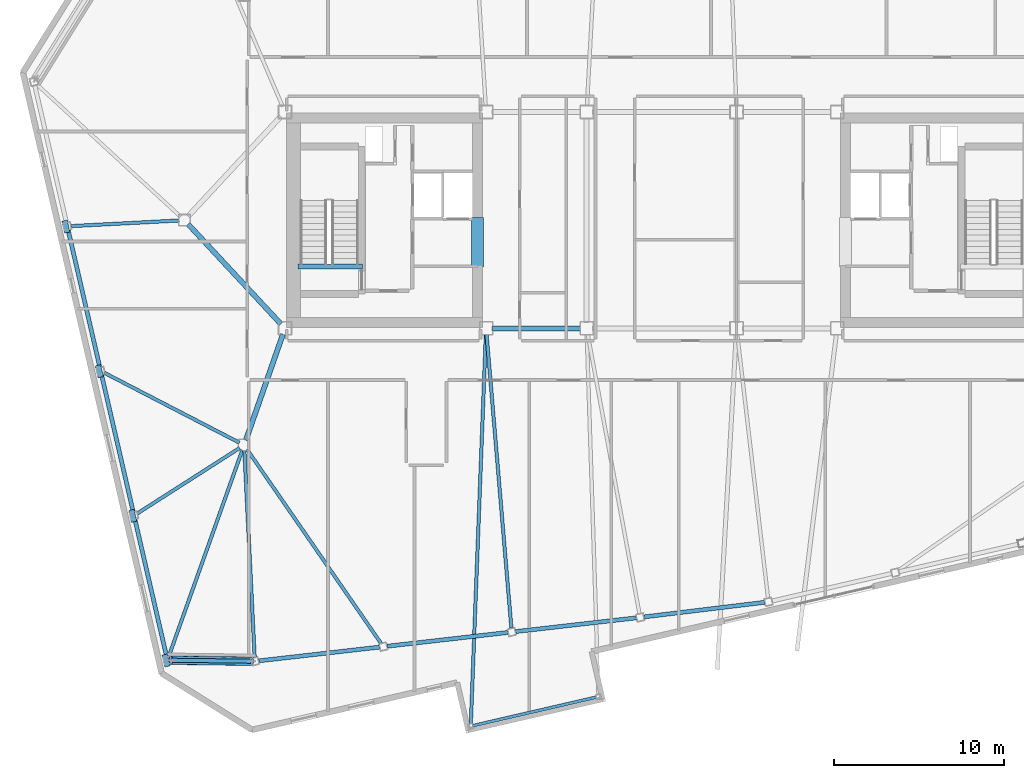
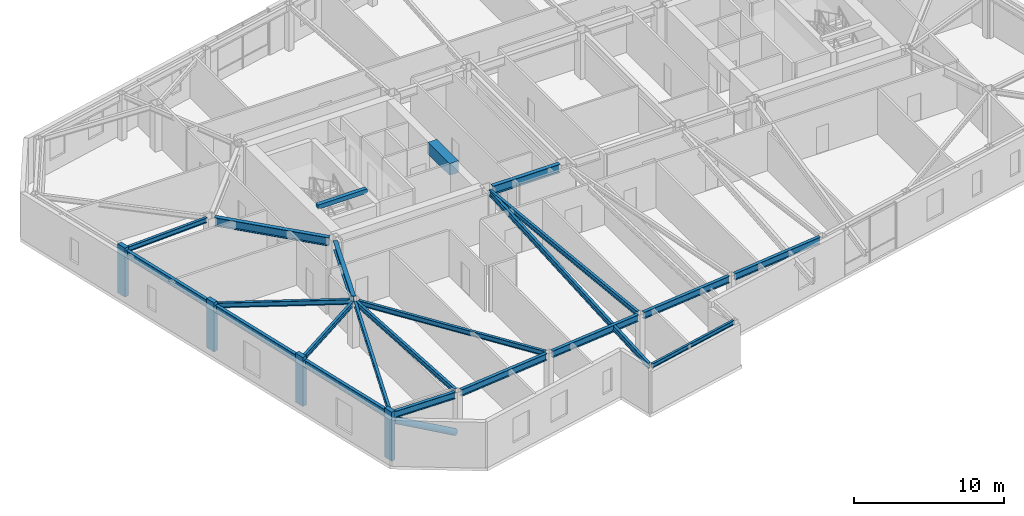
# One storey, part 5 of 21: 22 beams, 5 members.
"""IFC4 building model written with IfcOpenShell, lengths in metres."""

import ifcopenshell
import ifcopenshell.guid

model = None  # the IFC model being written
_history = None  # IfcOwnerHistory: only IFC2X3 demands one
_inside = {}  # id of a spatial element -> (the spatial element, [elements in it])
_under = {}  # id of a project, library or spatial element -> (it, [spatial elements below it])
_declared = {}  # id of a project -> (the project, [libraries it declares])
_typed = {}  # id of a type object -> (the type object, [elements of that type])
_made_of = {}  # id of a material, layer set ... -> (it, [elements and type objects made of it])


def new_model(schema):
    """Start an empty IFC model of exactly this schema.

    Asked for "IFC4X3", IfcOpenShell would pick the latest addendum, in which some entities
    have other attributes; the version numbers below select the first issue.
    IFC2X3 requires an IfcOwnerHistory on every rooted entity: one is made here for all.
    """
    global model, _history
    if schema == "IFC4X3":
        model = ifcopenshell.file(schema_version=(4, 3, 0, 0))
    else:
        model = ifcopenshell.file(schema=schema)
    _inside.clear()
    _under.clear()
    _declared.clear()
    _typed.clear()
    _made_of.clear()
    _history = None
    if model.schema == "IFC2X3":
        org = make("IfcOrganization", Name="unknown")
        user = make(
            "IfcPersonAndOrganization",
            ThePerson=make("IfcPerson", FamilyName="unknown"),
            TheOrganization=org,
        )
        app = make(
            "IfcApplication",
            ApplicationDeveloper=org,
            Version="unknown",
            ApplicationFullName="unknown",
            ApplicationIdentifier="unknown",
        )
        _history = make(
            "IfcOwnerHistory",
            OwningUser=user,
            OwningApplication=app,
            ChangeAction="ADDED",
            CreationDate=0,
        )
    return model


def make(cls, **values):
    """One entity of the class cls with the attributes given. An attribute that is None is left unset."""
    return model.create_entity(
        cls, **{name: value for name, value in values.items() if value is not None}
    )


def rooted(cls, **values):
    """An entity with a GlobalId (a new one), such as an element, a storey or a relation."""
    return make(cls, GlobalId=ifcopenshell.guid.new(), OwnerHistory=_history, **values)


def si_unit(unit_type, name, prefix=None):
    """IfcSIUnit, for example si_unit("LENGTHUNIT", "METRE", prefix="MILLI")."""
    return make("IfcSIUnit", UnitType=unit_type, Prefix=prefix, Name=name)


def assignment(units):
    """IfcUnitAssignment: the units of a project."""
    return None if units is None else make("IfcUnitAssignment", Units=units)


def point(xyz):
    """IfcCartesianPoint."""
    return None if xyz is None else make("IfcCartesianPoint", Coordinates=xyz)


def direction(xyz):
    """IfcDirection."""
    return None if xyz is None else make("IfcDirection", DirectionRatios=xyz)


def frame(location, z_axis=None, x_axis=None):
    """IfcAxis2Placement3D, a coordinate frame: its origin and axes. An axis left out is left unset."""
    return make(
        "IfcAxis2Placement3D",
        Location=point(location),
        Axis=direction(z_axis),
        RefDirection=direction(x_axis),
    )


def frame_2d(location, x_axis=None):
    """IfcAxis2Placement2D, a coordinate frame in the plane: its origin and x axis."""
    return make(
        "IfcAxis2Placement2D", Location=point(location), RefDirection=direction(x_axis)
    )


def origin():
    """The frame at (0, 0, 0) with its axes left unset."""
    return frame((0.0, 0.0, 0.0))


def origin_2d():
    """The frame at (0, 0) in the plane with its x axis left unset."""
    return frame_2d((0.0, 0.0))


def place(relative_to, where):
    """IfcLocalPlacement: puts the frame where relative to a parent placement (None: the world)."""
    return make(
        "IfcLocalPlacement", PlacementRelTo=relative_to, RelativePlacement=where
    )


def context(
    kind, dimensions, precision=None, world=None, true_north=None, identifier=None
):
    """IfcGeometricRepresentationContext, for example the 3D "Model" context."""
    return make(
        "IfcGeometricRepresentationContext",
        ContextIdentifier=identifier,
        ContextType=kind,
        CoordinateSpaceDimension=dimensions,
        Precision=precision,
        WorldCoordinateSystem=world,
        TrueNorth=true_north,
    )


def subcontext(parent, identifier, kind, view, scale=None):
    """IfcGeometricRepresentationSubContext, for example "Body" below "Model"."""
    return make(
        "IfcGeometricRepresentationSubContext",
        ContextIdentifier=identifier,
        ContextType=kind,
        ParentContext=parent,
        TargetScale=scale,
        TargetView=view,
    )


def project(units=None, contexts=None):
    """IfcProject with its units and contexts."""
    return rooted(
        "IfcProject",
        Name="project",
        RepresentationContexts=contexts,
        UnitsInContext=assignment(units),
    )


def spatial(cls, under=None, at=None, **own):
    """A site, building, storey or space (cls), placed at a placement, below another one or the project."""
    s = rooted(cls, ObjectPlacement=at, **own)
    if under is not None:
        _under.setdefault(under.id(), (under, []))[1].append(s)
    return s


def profile(cls, at=None, kind="AREA", **sizes):
    """A parametric profile (cls). Its sizes go by their IFC names, for example OverallWidth=200.0."""
    return make(cls, ProfileType=kind, Position=at, **sizes)


def rectangle(**sizes):
    """IfcRectangleProfileDef."""
    return profile("IfcRectangleProfileDef", **sizes)


def hollow_circle(**sizes):
    """IfcCircleHollowProfileDef."""
    return profile("IfcCircleHollowProfileDef", **sizes)


def i_section(**sizes):
    """IfcIShapeProfileDef."""
    return profile("IfcIShapeProfileDef", **sizes)


def extrude(swept, where, along, depth):
    """IfcExtrudedAreaSolid: the profile swept, set in the frame where, extruded along a direction by depth."""
    return make(
        "IfcExtrudedAreaSolid",
        SweptArea=swept,
        Position=where,
        ExtrudedDirection=direction(along),
        Depth=depth,
    )


def shape(context_of_items, identifier, shape_type, items):
    """IfcShapeRepresentation: the items that make up one representation, for example the "Body"."""
    return make(
        "IfcShapeRepresentation",
        ContextOfItems=context_of_items,
        RepresentationIdentifier=identifier,
        RepresentationType=shape_type,
        Items=items,
    )


def material(Name=None, Category=None):
    """IfcMaterial."""
    return make("IfcMaterial", Name=Name, Category=Category)


def material_profile(
    of_material, cross_section, Name=None, Category=None, Priority=None
):
    """IfcMaterialProfile: a cross section and its material."""
    return make(
        "IfcMaterialProfile",
        Name=Name,
        Material=of_material,
        Profile=cross_section,
        Priority=Priority,
        Category=Category,
    )


def profile_set(profiles, Name=None, composite=None):
    """IfcMaterialProfileSet."""
    return make(
        "IfcMaterialProfileSet",
        Name=Name,
        MaterialProfiles=profiles,
        CompositeProfile=composite,
    )


def made_of(thing, what):
    """Note that an element or type object is made of a material, layer set ...; save() writes the relation."""
    if what is not None:
        _made_of.setdefault(what.id(), (what, []))[1].append(thing)
    return thing


def type_object(cls, material=None, **own):
    """A type object (cls), such as IfcWallType, which elements share."""
    return made_of(rooted(cls, **own), material)


def element(
    cls,
    number,
    at=None,
    inside=None,
    cuts=None,
    type_object=None,
    material=None,
    context=None,
    identifier="Body",
    shape_type=None,
    held_by="IfcProductDefinitionShape",
    body=None,
    shapes=None,
    **own,
):
    """One element of the class cls, such as IfcWall. Its Tag is "e" and its number.

    at: its placement. inside: the storey or other place that contains it. cuts: it is an
    opening in that element (IfcRelVoidsElement). A single representation is given by context,
    identifier, shape_type and body (its items); several are given by shapes. held_by: the class
    of the entity that holds the representations. save() writes the other relations.
    """
    e = rooted(cls, Tag="e%d" % number, ObjectPlacement=at, **own)
    if body is not None:
        shapes = [shape(context, identifier, shape_type, body)]
    if shapes is not None:
        e.Representation = make(held_by, Representations=shapes)
    if inside is not None:
        _inside.setdefault(inside.id(), (inside, []))[1].append(e)
    if cuts is not None:
        rooted(
            "IfcRelVoidsElement", RelatingBuildingElement=cuts, RelatedOpeningElement=e
        )
    if type_object is not None:
        _typed.setdefault(type_object.id(), (type_object, []))[1].append(e)
    return made_of(e, material)


def aggregate(whole, parts):
    """IfcRelAggregates: a whole, such as a stair, and the parts it consists of."""
    return rooted("IfcRelAggregates", RelatingObject=whole, RelatedObjects=parts)


def save(model, path):
    """Write the relations noted so far, then the file.

    IfcRelAggregates (storeys below a building ...), IfcRelContainedInSpatialStructure (elements
    in a storey), IfcRelDefinesByType, IfcRelAssociatesMaterial and IfcRelDeclares: one each for
    every whole, place, type object, material and project.
    """
    for whole, parts in _under.values():
        aggregate(whole, parts)
    for where, things in _inside.values():
        rooted(
            "IfcRelContainedInSpatialStructure",
            RelatedElements=things,
            RelatingStructure=where,
        )
    for kind, things in _typed.values():
        rooted("IfcRelDefinesByType", RelatedObjects=things, RelatingType=kind)
    for what, things in _made_of.values():
        rooted("IfcRelAssociatesMaterial", RelatedObjects=things, RelatingMaterial=what)
    for by, libraries in _declared.values():
        rooted("IfcRelDeclares", RelatingContext=by, RelatedDefinitions=libraries)
    model.write(path)


model = new_model("IFC4")

# Units and contexts
model_context = context("Model", 3, precision=1e-05, world=origin(), true_north=direction((0.0, 1.0)))
body_context = subcontext(model_context, "Body", "Model", "MODEL_VIEW")
ifc_project = project(units=[si_unit("LENGTHUNIT", "METRE"), si_unit("AREAUNIT", "SQUARE_METRE"), si_unit("VOLUMEUNIT", "CUBIC_METRE"), si_unit("PLANEANGLEUNIT", "RADIAN"), si_unit("MASSUNIT", "GRAM", prefix="KILO")], contexts=[model_context])

# Site, building, storey
site_placement = place(None, origin())
site = spatial("IfcSite", under=ifc_project, at=site_placement, CompositionType="ELEMENT")
building_placement = place(site_placement, origin())
building = spatial("IfcBuilding", under=site, at=building_placement, Name="Tavrogorsk Clinical Tower", CompositionType="ELEMENT")
storey_placement = place(building_placement, frame((0.0, 0.0, 285.0)))
storey = spatial("IfcBuildingStorey", under=building, at=storey_placement, Name="L66", CompositionType="ELEMENT", Elevation=285.0)

# Beam
ifc_material_1 = material(Name="Concrete B80", Category="concrete")
ifc_material_profile_1 = material_profile(ifc_material_1, rectangle(XDim=0.699951171875, YDim=0.949951171875, at=origin_2d()), Name="RC-CB-700x950")
ifc_profile_set_1 = profile_set([ifc_material_profile_1], Name="Concrete B80")
beam_type_1 = type_object("IfcBeamType", Name="CouplingBeam_RC700x950", PredefinedType="LINTEL", material=ifc_profile_set_1)
beam_1_placement = place(storey_placement, frame((-10.800048828125, -2.75, 3.264892578125), z_axis=(0.0, 1.0, 0.0), x_axis=(-1.0, 0.0, 0.0)))
element("IfcBeam", 1, at=beam_1_placement, inside=storey, type_object=beam_type_1, Name="L66 Core West Coupling Beam", PredefinedType="LINTEL", context=body_context, shape_type="SweptSolid", body=[
    extrude(rectangle(XDim=0.699951171875, YDim=0.949951171875, at=origin_2d()), origin(), (0.0, 0.0, 1.0), 2.89990234375),
])

# Member
ifc_material_2 = material(Name="Structural steel S440", Category="steel")
ifc_material_profile_2 = material_profile(ifc_material_2, hollow_circle(Radius=0.25390625, WallThickness=0.02001953125, at=origin_2d()), Name="CHS-508x20")
ifc_profile_set_2 = profile_set([ifc_material_profile_2], Name="Structural steel S440")
member_type_1 = type_object("IfcMemberType", Name="ExoBrace_CHS508", PredefinedType="BRACE", material=ifc_profile_set_2)
member_placement = place(storey_placement, frame((-24.07080078125, -25.883056640625, 0.412841796875), z_axis=(-0.874894907887, 0.011394569062, 0.484178752062), x_axis=(-0.013022824449, -0.999915199426, 0.0)))
element("IfcMember", 2, at=member_placement, inside=storey, type_object=member_type_1, Name="L66 Corner Exoskeleton Brace W5-S1", PredefinedType="BRACE", context=body_context, shape_type="SweptSolid", body=[
    extrude(hollow_circle(Radius=0.25390625, WallThickness=0.02001953125, at=origin_2d()), origin(), (0.0, 0.0, 1.0), 5.3994140625),
])

# Beams
ifc_material_3 = material(Name="Structural steel S355", Category="steel")
ifc_material_profile_3 = material_profile(ifc_material_3, i_section(OverallWidth=0.199951171875, OverallDepth=0.39990234375, WebThickness=0.010498046875, FlangeThickness=0.01611328125, at=origin_2d()), Name="B-400x200x10.5x16")
ifc_profile_set_3 = profile_set([ifc_material_profile_3], Name="Structural steel S355")
beam_type_2 = type_object("IfcBeamType", Name="FloorBeam_B400", PredefinedType="BEAM", material=ifc_profile_set_3)
beam_2_placement = place(storey_placement, frame((-24.484619140625, -13.509521484375, 3.5400390625), z_axis=(0.049857498916, -0.998756341558, 0.0), x_axis=(0.998756341558, 0.049857498916, 0.0)))
element("IfcBeam", 3, at=beam_2_placement, inside=storey, type_object=beam_type_2, Name="L66 Radial Floor Beam S1", PredefinedType="BEAM", context=body_context, shape_type="SweptSolid", body=[
    extrude(i_section(OverallWidth=0.199951171875, OverallDepth=0.39990234375, WebThickness=0.010498046875, FlangeThickness=0.01611328125, at=origin_2d()), origin(), (0.0, 0.0, 1.0), 12.15869140625),
])
beam_3_placement = place(storey_placement, frame((-24.32373046875, -13.455078125, 3.5400390625), z_axis=(0.568335848504, -0.82279667191, 0.0), x_axis=(0.82279667191, 0.568335848504, 0.0)))
element("IfcBeam", 4, at=beam_3_placement, inside=storey, type_object=beam_type_2, Name="L66 Radial Floor Beam S2", PredefinedType="BEAM", context=body_context, shape_type="SweptSolid", body=[
    extrude(i_section(OverallWidth=0.199951171875, OverallDepth=0.39990234375, WebThickness=0.010498046875, FlangeThickness=0.01611328125, at=origin_2d()), origin(), (0.0, 0.0, 1.0), 13.831298828125),
])
beam_4_placement = place(storey_placement, frame((-10.269775390625, -6.708740234375, 3.5400390625), z_axis=(0.084218746676, -0.996447290482, 0.0), x_axis=(0.996447290482, 0.084218746676, 0.0)))
element("IfcBeam", 5, at=beam_4_placement, inside=storey, type_object=beam_type_2, Name="L66 Radial Floor Beam S3", PredefinedType="BEAM", context=body_context, shape_type="SweptSolid", body=[
    extrude(i_section(OverallWidth=0.199951171875, OverallDepth=0.39990234375, WebThickness=0.010498046875, FlangeThickness=0.01611328125, at=origin_2d()), origin(), (0.0, 0.0, 1.0), 17.2890625),
])
beam_5_placement = place(storey_placement, frame((-28.3095703125, -0.01611328125, 3.5400390625), z_axis=(-0.99864101713, -0.052116397656, 0.0), x_axis=(0.052116397656, -0.99864101713, 0.0)))
element("IfcBeam", 6, at=beam_5_placement, inside=storey, type_object=beam_type_2, Name="L66 Radial Floor Beam W2", PredefinedType="BEAM", context=body_context, shape_type="SweptSolid", body=[
    extrude(i_section(OverallWidth=0.199951171875, OverallDepth=0.39990234375, WebThickness=0.010498046875, FlangeThickness=0.01611328125, at=origin_2d()), origin(), (0.0, 0.0, 1.0), 6.3427734375),
])
beam_6_placement = place(storey_placement, frame((-24.775390625, -13.0576171875, 3.5400390625), z_axis=(-0.888188417157, 0.459479418069, 0.0), x_axis=(-0.459479418069, -0.888188417157, 0.0)))
element("IfcBeam", 7, at=beam_6_placement, inside=storey, type_object=beam_type_2, Name="L66 Radial Floor Beam W3", PredefinedType="BEAM", context=body_context, shape_type="SweptSolid", body=[
    extrude(i_section(OverallWidth=0.199951171875, OverallDepth=0.39990234375, WebThickness=0.010498046875, FlangeThickness=0.01611328125, at=origin_2d()), origin(), (0.0, 0.0, 1.0), 8.93408203125),
])
beam_7_placement = place(storey_placement, frame((-24.76123046875, -13.3671875, 3.5400390625), z_axis=(-0.842332392078, -0.538958385459, 0.0), x_axis=(0.538958385459, -0.842332392078, 0.0)))
element("IfcBeam", 8, at=beam_7_placement, inside=storey, type_object=beam_type_2, Name="L66 Radial Floor Beam W4", PredefinedType="BEAM", context=body_context, shape_type="SweptSolid", body=[
    extrude(i_section(OverallWidth=0.199951171875, OverallDepth=0.39990234375, WebThickness=0.010498046875, FlangeThickness=0.01611328125, at=origin_2d()), origin(), (0.0, 0.0, 1.0), 7.123779296875),
])
beam_8_placement = place(storey_placement, frame((-24.60400390625, -13.491943359375, 3.5400390625), z_axis=(-0.335800921645, -0.941932981173, 0.0), x_axis=(0.941932981173, -0.335800921645, 0.0)))
element("IfcBeam", 9, at=beam_8_placement, inside=storey, type_object=beam_type_2, Name="L66 Radial Floor Beam W5", PredefinedType="BEAM", context=body_context, shape_type="SweptSolid", body=[
    extrude(i_section(OverallWidth=0.199951171875, OverallDepth=0.39990234375, WebThickness=0.010498046875, FlangeThickness=0.01611328125, at=origin_2d()), origin(), (0.0, 0.0, 1.0), 12.85400390625),
])
ifc_material_4 = material(Name="Structural steel S355", Category="steel")
ifc_material_profile_4 = material_profile(ifc_material_4, i_section(OverallWidth=0.199951171875, OverallDepth=0.449951171875, WebThickness=0.011474609375, FlangeThickness=0.01806640625, at=origin_2d()), Name="B-450x200x11.5x18")
ifc_profile_set_4 = profile_set([ifc_material_profile_4], Name="Structural steel S355")
beam_type_3 = type_object("IfcBeamType", Name="FloorBeam_B450", PredefinedType="BEAM", material=ifc_profile_set_4)
beam_9_placement = place(storey_placement, frame((-10.31396484375, -6.709716796875, 3.514892578125), z_axis=(-0.038550826334, -0.999256640603, 0.0), x_axis=(0.999256640603, -0.038550826334, 0.0)))
element("IfcBeam", 10, at=beam_9_placement, inside=storey, type_object=beam_type_3, Name="L66 Day-Room Cantilever Beam DRB-09-L", PredefinedType="BEAM", context=body_context, shape_type="SweptSolid", body=[
    extrude(i_section(OverallWidth=0.199951171875, OverallDepth=0.449951171875, WebThickness=0.011474609375, FlangeThickness=0.01806640625, at=origin_2d()), origin(), (0.0, 0.0, 1.0), 22.862060546875),
])

# Members
ifc_material_5 = material(Name="Precast concrete B45 with limestone cladding", Category="masonry")
ifc_material_profile_5 = material_profile(ifc_material_5, rectangle(XDim=0.320068359375, YDim=0.719970703125, at=origin_2d()), Name="LIMESTONE-FIN-320x720")
ifc_profile_set_5 = profile_set([ifc_material_profile_5], Name="Precast concrete B45 with limestone cladding")
member_type_2 = type_object("IfcMemberType", Name="LimestonePleatFin_320x720", PredefinedType="USERDEFINED", material=ifc_profile_set_5)
for number, where, z_axis, x_axis, name in (
    (11, (-34.95458984375, -0.376708984375, 0.0), (0.0, 0.0, 1.0), (0.974370064785, 0.224951054344, 0.0), "L66 W Pleated Stone Fin 1"),
    (12, (-32.995361328125, -8.863525390625, 0.0), (0.0, 0.0, 1.0), (0.974370064785, 0.224951054344, 0.0), "L66 W Pleated Stone Fin 2"),
    (13, (-31.035888671875, -17.35009765625, 0.0), (0.0, 0.0, 1.0), (0.974370064785, 0.224951054344, 0.0), "L66 W Pleated Stone Fin 3"),
    (14, (-29.07666015625, -25.8369140625, 0.0), (0.0, 0.0, 1.0), (0.974370064785, 0.224951054344, 0.0), "L66 W Pleated Stone Fin 4"),
):
    element("IfcMember", number, at=place(storey_placement, frame(where, z_axis=z_axis, x_axis=x_axis)), inside=storey, type_object=member_type_2, Name=name, ObjectType="FIN", PredefinedType="USERDEFINED", context=body_context, shape_type="SweptSolid", body=[
        extrude(rectangle(XDim=0.320068359375, YDim=0.719970703125, at=origin_2d()), origin(), (0.0, 0.0, 1.0), 4.0),
    ])

# Beams
ifc_material_6 = material(Name="Structural steel S390", Category="steel")
ifc_material_profile_6 = material_profile(ifc_material_6, i_section(OverallWidth=0.300048828125, OverallDepth=0.699951171875, WebThickness=0.01708984375, FlangeThickness=0.028076171875, at=origin_2d()), Name="B-700x300x17x28")
ifc_profile_set_6 = profile_set([ifc_material_profile_6], Name="Structural steel S390")
beam_type_4 = type_object("IfcBeamType", Name="PrimaryGirder_B700", PredefinedType="USERDEFINED", material=ifc_profile_set_6)
beam_10_placement = place(storey_placement, frame((-9.93994140625, -6.35009765625, 3.389892578125), z_axis=(1.0, 0.0, 0.0), x_axis=(0.0, 1.0, 0.0)))
element("IfcBeam", 15, at=beam_10_placement, inside=storey, type_object=beam_type_4, Name="L66 Primary Spine Girder MG-01", ObjectType="GIRDER", PredefinedType="USERDEFINED", context=body_context, shape_type="SweptSolid", body=[
    extrude(i_section(OverallWidth=0.300048828125, OverallDepth=0.699951171875, WebThickness=0.01708984375, FlangeThickness=0.028076171875, at=origin_2d()), origin(), (0.0, 0.0, 1.0), 5.179931640625),
])
beam_11_placement = place(storey_placement, frame((-24.3974609375, -12.907470703125, 3.389892578125), z_axis=(0.330654121425, 0.943752007672, 0.0), x_axis=(-0.943752007672, 0.330654121425, 0.0)))
element("IfcBeam", 16, at=beam_11_placement, inside=storey, type_object=beam_type_4, Name="L66 Spine Link Girder OPG-1", ObjectType="GIRDER", PredefinedType="USERDEFINED", context=body_context, shape_type="SweptSolid", body=[
    extrude(i_section(OverallWidth=0.300048828125, OverallDepth=0.699951171875, WebThickness=0.01708984375, FlangeThickness=0.028076171875, at=origin_2d()), origin(), (0.0, 0.0, 1.0), 6.58837890625),
])
beam_12_placement = place(storey_placement, frame((-27.7890625, -0.22705078125, 3.389892578125), z_axis=(0.680684060959, -0.732577101168, 0.0), x_axis=(0.732577101168, 0.680684060959, 0.0)))
element("IfcBeam", 17, at=beam_12_placement, inside=storey, type_object=beam_type_4, Name="L66 Spine Link Girder OPG-5", ObjectType="GIRDER", PredefinedType="USERDEFINED", context=body_context, shape_type="SweptSolid", body=[
    extrude(i_section(OverallWidth=0.300048828125, OverallDepth=0.699951171875, WebThickness=0.01708984375, FlangeThickness=0.028076171875, at=origin_2d()), origin(), (0.0, 0.0, 1.0), 7.998046875),
])
ifc_material_7 = material(Name="Structural steel S355", Category="steel")
ifc_material_profile_7 = material_profile(ifc_material_7, i_section(OverallWidth=0.175048828125, OverallDepth=0.35009765625, WebThickness=0.009521484375, FlangeThickness=0.013916015625, at=origin_2d()), Name="B-350x175x9.5x14")
ifc_profile_set_7 = profile_set([ifc_material_profile_7], Name="Structural steel S355")
beam_type_5 = type_object("IfcBeamType", Name="SecondaryJoist_B350", PredefinedType="JOIST", material=ifc_profile_set_7)
beam_13_placement = place(storey_placement, frame((-11.083740234375, -29.667724609375, 3.56494140625), z_axis=(0.974367472721, 0.224962281513, 0.0), x_axis=(-0.224962281513, 0.974367472721, 0.0)))
element("IfcBeam", 18, at=beam_13_placement, inside=storey, type_object=beam_type_5, Name="L66 Day-Room Front Edge Beam DRB-09", PredefinedType="JOIST", context=body_context, shape_type="SweptSolid", body=[
    extrude(i_section(OverallWidth=0.175048828125, OverallDepth=0.35009765625, WebThickness=0.009521484375, FlangeThickness=0.013916015625, at=origin_2d()), origin(), (0.0, 0.0, 1.0), 7.4599609375),
])
ifc_material_8 = material(Name="Structural steel S390", Category="steel")
ifc_material_profile_8 = material_profile(ifc_material_8, i_section(OverallWidth=0.239990234375, OverallDepth=0.550048828125, WebThickness=0.013916015625, FlangeThickness=0.02197265625, at=origin_2d()), Name="B-550x240x14x22")
ifc_profile_set_8 = profile_set([ifc_material_profile_8], Name="Structural steel S390")
beam_type_6 = type_object("IfcBeamType", Name="SpandrelBeam_B550", PredefinedType="SPANDREL", material=ifc_profile_set_8)
for number, where, z_axis, x_axis, name in (
    (19, (-23.635498046875, -25.859375, 3.465087890625), (0.993572073137, 0.113201305126, 0.0), (-0.113201305126, 0.993572073137, 0.0), "L66 Perimeter Spandrel S1-S2"),
    (20, (-16.098876953125, -25.000732421875, 3.465087890625), (0.993572073137, 0.113201305126, 0.0), (-0.113201305126, 0.993572073137, 0.0), "L66 Perimeter Spandrel S2-S3"),
    (21, (-8.5625, -24.14208984375, 3.465087890625), (0.993572073137, 0.113201305126, 0.0), (-0.113201305126, 0.993572073137, 0.0), "L66 Perimeter Spandrel S3-S4"),
):
    element("IfcBeam", number, at=place(storey_placement, frame(where, z_axis=z_axis, x_axis=x_axis)), inside=storey, type_object=beam_type_6, Name=name, PredefinedType="SPANDREL", context=body_context, shape_type="SweptSolid", body=[
        extrude(i_section(OverallWidth=0.239990234375, OverallDepth=0.550048828125, WebThickness=0.013916015625, FlangeThickness=0.02197265625, at=origin_2d()), origin(), (0.0, 0.0, 1.0), 7.119140625),
    ])
beam_14_placement = place(storey_placement, frame((-1.026123046875, -23.28173828125, 3.465087890625), z_axis=(0.992733657897, 0.120332391639, 0.0), x_axis=(-0.120332391639, 0.992733657897, 0.0)))
element("IfcBeam", 22, at=beam_14_placement, inside=storey, type_object=beam_type_6, Name="L66 Perimeter Spandrel S4-S5", PredefinedType="SPANDREL", context=body_context, shape_type="SweptSolid", body=[
    extrude(i_section(OverallWidth=0.239990234375, OverallDepth=0.550048828125, WebThickness=0.013916015625, FlangeThickness=0.02197265625, at=origin_2d()), origin(), (0.0, 0.0, 1.0), 7.119384765625),
])
beam_15_placement = place(storey_placement, frame((-34.82421875, -0.585693359375, 3.465087890625), z_axis=(0.224950345141, -0.974370228517, 0.0), x_axis=(0.974370228517, 0.224950345141, 0.0)))
element("IfcBeam", 23, at=beam_15_placement, inside=storey, type_object=beam_type_6, Name="L66 Perimeter Spandrel W2-W3", PredefinedType="SPANDREL", context=body_context, shape_type="SweptSolid", body=[
    extrude(i_section(OverallWidth=0.239990234375, OverallDepth=0.550048828125, WebThickness=0.013916015625, FlangeThickness=0.02197265625, at=origin_2d()), origin(), (0.0, 0.0, 1.0), 8.243896484375),
])
beam_16_placement = place(storey_placement, frame((-32.864990234375, -9.072509765625, 3.465087890625), z_axis=(0.224978460613, -0.974363737144, 0.0), x_axis=(0.974363737144, 0.224978460613, 0.0)))
element("IfcBeam", 24, at=beam_16_placement, inside=storey, type_object=beam_type_6, Name="L66 Perimeter Spandrel W3-W4", PredefinedType="SPANDREL", context=body_context, shape_type="SweptSolid", body=[
    extrude(i_section(OverallWidth=0.239990234375, OverallDepth=0.550048828125, WebThickness=0.013916015625, FlangeThickness=0.02197265625, at=origin_2d()), origin(), (0.0, 0.0, 1.0), 8.244140625),
])
beam_17_placement = place(storey_placement, frame((-30.905517578125, -17.559326171875, 3.465087890625), z_axis=(0.224950345141, -0.974370228517, 0.0), x_axis=(0.974370228517, 0.224950345141, 0.0)))
element("IfcBeam", 25, at=beam_17_placement, inside=storey, type_object=beam_type_6, Name="L66 Perimeter Spandrel W4-W5", PredefinedType="SPANDREL", context=body_context, shape_type="SweptSolid", body=[
    extrude(i_section(OverallWidth=0.239990234375, OverallDepth=0.550048828125, WebThickness=0.013916015625, FlangeThickness=0.02197265625, at=origin_2d()), origin(), (0.0, 0.0, 1.0), 8.243896484375),
])
beam_18_placement = place(storey_placement, frame((-28.765625, -25.822021484375, 3.465087890625), z_axis=(0.999915131489, -0.013028039754, 0.0), x_axis=(0.013028039754, 0.999915131489, 0.0)))
element("IfcBeam", 26, at=beam_18_placement, inside=storey, type_object=beam_type_6, Name="L66 Perimeter Spandrel W5-S1", PredefinedType="SPANDREL", context=body_context, shape_type="SweptSolid", body=[
    extrude(i_section(OverallWidth=0.239990234375, OverallDepth=0.550048828125, WebThickness=0.013916015625, FlangeThickness=0.02197265625, at=origin_2d()), origin(), (0.0, 0.0, 1.0), 4.666259765625),
])
ifc_material_9 = material(Name="Concrete B60", Category="concrete")
ifc_material_profile_9 = material_profile(ifc_material_9, rectangle(XDim=0.300048828125, YDim=0.35009765625, at=origin_2d()), Name="RC-SHB-300x350")
ifc_profile_set_9 = profile_set([ifc_material_profile_9], Name="Concrete B60")
beam_type_7 = type_object("IfcBeamType", Name="StairHeaderBeam_RC300x350", PredefinedType="BEAM", material=ifc_profile_set_9)
beam_19_placement = place(storey_placement, frame((-21.35009765625, -2.719970703125, 3.824951171875), z_axis=(1.0, 0.0, 0.0), x_axis=(0.0, 1.0, 0.0)))
element("IfcBeam", 27, at=beam_19_placement, inside=storey, type_object=beam_type_7, Name="L67 ST-W Landing Header Beam", PredefinedType="BEAM", context=body_context, shape_type="SweptSolid", body=[
    extrude(rectangle(XDim=0.300048828125, YDim=0.35009765625, at=origin_2d()), origin(), (0.0, 0.0, 1.0), 3.800048828125),
])

save(model, "model.ifc")
